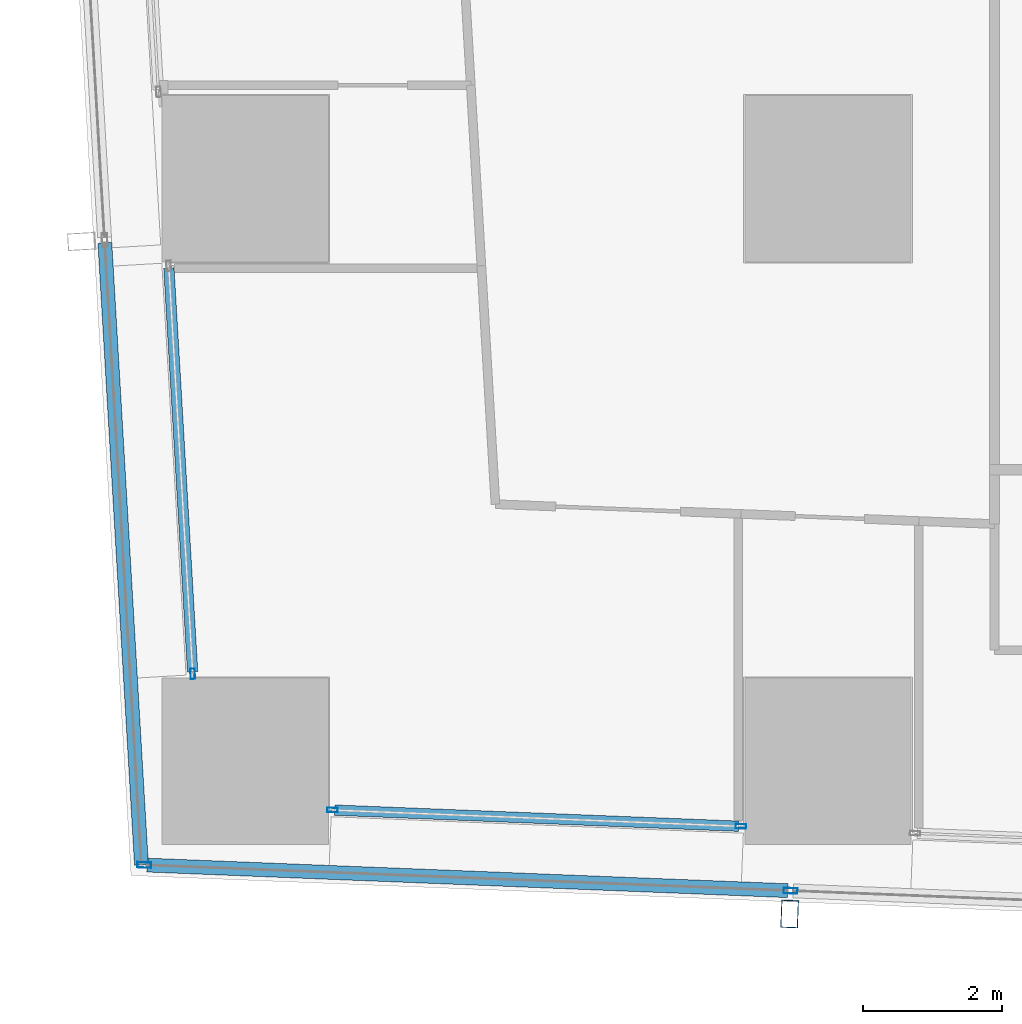
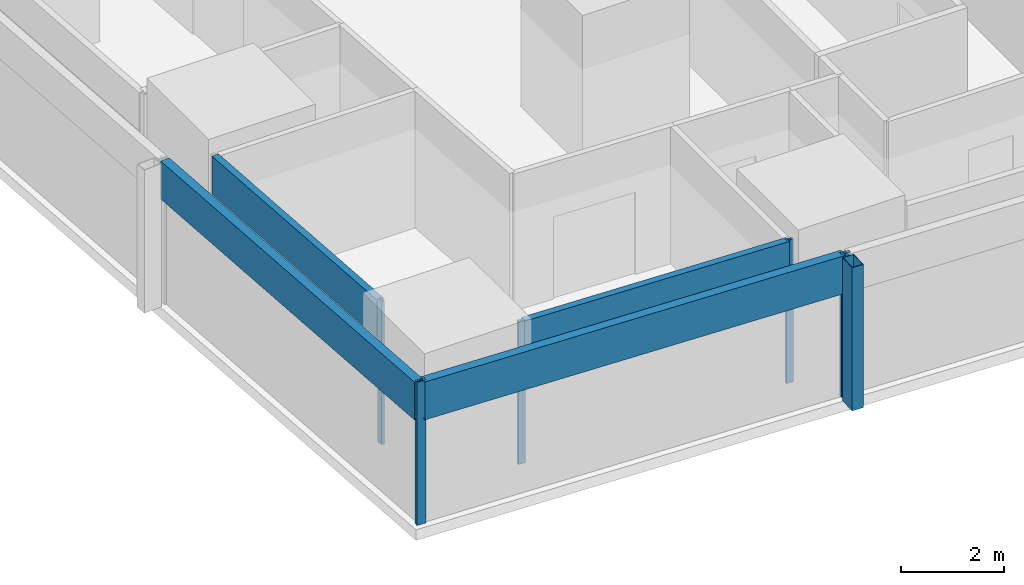
# One storey, part 2 of 34: 10 members, 4 elements without a shape of their own.
"""IFC4 building model written with IfcOpenShell, lengths in metres."""

import ifcopenshell
import ifcopenshell.guid

model = None  # the IFC model being written
_history = None  # IfcOwnerHistory: only IFC2X3 demands one
_inside = {}  # id of a spatial element -> (the spatial element, [elements in it])
_under = {}  # id of a project, library or spatial element -> (it, [spatial elements below it])
_declared = {}  # id of a project -> (the project, [libraries it declares])
_typed = {}  # id of a type object -> (the type object, [elements of that type])
_made_of = {}  # id of a material, layer set ... -> (it, [elements and type objects made of it])


def new_model(schema):
    """Start an empty IFC model of exactly this schema.

    Asked for "IFC4X3", IfcOpenShell would pick the latest addendum, in which some entities
    have other attributes; the version numbers below select the first issue.
    IFC2X3 requires an IfcOwnerHistory on every rooted entity: one is made here for all.
    """
    global model, _history
    if schema == "IFC4X3":
        model = ifcopenshell.file(schema_version=(4, 3, 0, 0))
    else:
        model = ifcopenshell.file(schema=schema)
    _inside.clear()
    _under.clear()
    _declared.clear()
    _typed.clear()
    _made_of.clear()
    _history = None
    if model.schema == "IFC2X3":
        org = make("IfcOrganization", Name="unknown")
        user = make(
            "IfcPersonAndOrganization",
            ThePerson=make("IfcPerson", FamilyName="unknown"),
            TheOrganization=org,
        )
        app = make(
            "IfcApplication",
            ApplicationDeveloper=org,
            Version="unknown",
            ApplicationFullName="unknown",
            ApplicationIdentifier="unknown",
        )
        _history = make(
            "IfcOwnerHistory",
            OwningUser=user,
            OwningApplication=app,
            ChangeAction="ADDED",
            CreationDate=0,
        )
    return model


def make(cls, **values):
    """One entity of the class cls with the attributes given. An attribute that is None is left unset."""
    return model.create_entity(
        cls, **{name: value for name, value in values.items() if value is not None}
    )


def rooted(cls, **values):
    """An entity with a GlobalId (a new one), such as an element, a storey or a relation."""
    return make(cls, GlobalId=ifcopenshell.guid.new(), OwnerHistory=_history, **values)


def si_unit(unit_type, name, prefix=None):
    """IfcSIUnit, for example si_unit("LENGTHUNIT", "METRE", prefix="MILLI")."""
    return make("IfcSIUnit", UnitType=unit_type, Prefix=prefix, Name=name)


def assignment(units):
    """IfcUnitAssignment: the units of a project."""
    return None if units is None else make("IfcUnitAssignment", Units=units)


def point(xyz):
    """IfcCartesianPoint."""
    return None if xyz is None else make("IfcCartesianPoint", Coordinates=xyz)


def direction(xyz):
    """IfcDirection."""
    return None if xyz is None else make("IfcDirection", DirectionRatios=xyz)


def frame(location, z_axis=None, x_axis=None):
    """IfcAxis2Placement3D, a coordinate frame: its origin and axes. An axis left out is left unset."""
    return make(
        "IfcAxis2Placement3D",
        Location=point(location),
        Axis=direction(z_axis),
        RefDirection=direction(x_axis),
    )


def frame_2d(location, x_axis=None):
    """IfcAxis2Placement2D, a coordinate frame in the plane: its origin and x axis."""
    return make(
        "IfcAxis2Placement2D", Location=point(location), RefDirection=direction(x_axis)
    )


def origin():
    """The frame at (0, 0, 0) with its axes left unset."""
    return frame((0.0, 0.0, 0.0))


def origin_2d():
    """The frame at (0, 0) in the plane with its x axis left unset."""
    return frame_2d((0.0, 0.0))


def place(relative_to, where):
    """IfcLocalPlacement: puts the frame where relative to a parent placement (None: the world)."""
    return make(
        "IfcLocalPlacement", PlacementRelTo=relative_to, RelativePlacement=where
    )


def context(
    kind, dimensions, precision=None, world=None, true_north=None, identifier=None
):
    """IfcGeometricRepresentationContext, for example the 3D "Model" context."""
    return make(
        "IfcGeometricRepresentationContext",
        ContextIdentifier=identifier,
        ContextType=kind,
        CoordinateSpaceDimension=dimensions,
        Precision=precision,
        WorldCoordinateSystem=world,
        TrueNorth=true_north,
    )


def subcontext(parent, identifier, kind, view, scale=None):
    """IfcGeometricRepresentationSubContext, for example "Body" below "Model"."""
    return make(
        "IfcGeometricRepresentationSubContext",
        ContextIdentifier=identifier,
        ContextType=kind,
        ParentContext=parent,
        TargetScale=scale,
        TargetView=view,
    )


def project(units=None, contexts=None):
    """IfcProject with its units and contexts."""
    return rooted(
        "IfcProject",
        Name="project",
        RepresentationContexts=contexts,
        UnitsInContext=assignment(units),
    )


def spatial(cls, under=None, at=None, **own):
    """A site, building, storey or space (cls), placed at a placement, below another one or the project."""
    s = rooted(cls, ObjectPlacement=at, **own)
    if under is not None:
        _under.setdefault(under.id(), (under, []))[1].append(s)
    return s


def profile(cls, at=None, kind="AREA", **sizes):
    """A parametric profile (cls). Its sizes go by their IFC names, for example OverallWidth=200.0."""
    return make(cls, ProfileType=kind, Position=at, **sizes)


def hollow_rectangle(**sizes):
    """IfcRectangleHollowProfileDef."""
    return profile("IfcRectangleHollowProfileDef", **sizes)


def extrude(swept, where, along, depth):
    """IfcExtrudedAreaSolid: the profile swept, set in the frame where, extruded along a direction by depth."""
    return make(
        "IfcExtrudedAreaSolid",
        SweptArea=swept,
        Position=where,
        ExtrudedDirection=direction(along),
        Depth=depth,
    )


def shape(context_of_items, identifier, shape_type, items):
    """IfcShapeRepresentation: the items that make up one representation, for example the "Body"."""
    return make(
        "IfcShapeRepresentation",
        ContextOfItems=context_of_items,
        RepresentationIdentifier=identifier,
        RepresentationType=shape_type,
        Items=items,
    )


def material(Name=None, Category=None):
    """IfcMaterial."""
    return make("IfcMaterial", Name=Name, Category=Category)


def material_profile(
    of_material, cross_section, Name=None, Category=None, Priority=None
):
    """IfcMaterialProfile: a cross section and its material."""
    return make(
        "IfcMaterialProfile",
        Name=Name,
        Material=of_material,
        Profile=cross_section,
        Priority=Priority,
        Category=Category,
    )


def profile_set(profiles, Name=None, composite=None):
    """IfcMaterialProfileSet."""
    return make(
        "IfcMaterialProfileSet",
        Name=Name,
        MaterialProfiles=profiles,
        CompositeProfile=composite,
    )


def made_of(thing, what):
    """Note that an element or type object is made of a material, layer set ...; save() writes the relation."""
    if what is not None:
        _made_of.setdefault(what.id(), (what, []))[1].append(thing)
    return thing


def type_object(cls, material=None, **own):
    """A type object (cls), such as IfcWallType, which elements share."""
    return made_of(rooted(cls, **own), material)


def element(
    cls,
    number,
    at=None,
    inside=None,
    cuts=None,
    type_object=None,
    material=None,
    context=None,
    identifier="Body",
    shape_type=None,
    held_by="IfcProductDefinitionShape",
    body=None,
    shapes=None,
    **own,
):
    """One element of the class cls, such as IfcWall. Its Tag is "e" and its number.

    at: its placement. inside: the storey or other place that contains it. cuts: it is an
    opening in that element (IfcRelVoidsElement). A single representation is given by context,
    identifier, shape_type and body (its items); several are given by shapes. held_by: the class
    of the entity that holds the representations. save() writes the other relations.
    """
    e = rooted(cls, Tag="e%d" % number, ObjectPlacement=at, **own)
    if body is not None:
        shapes = [shape(context, identifier, shape_type, body)]
    if shapes is not None:
        e.Representation = make(held_by, Representations=shapes)
    if inside is not None:
        _inside.setdefault(inside.id(), (inside, []))[1].append(e)
    if cuts is not None:
        rooted(
            "IfcRelVoidsElement", RelatingBuildingElement=cuts, RelatedOpeningElement=e
        )
    if type_object is not None:
        _typed.setdefault(type_object.id(), (type_object, []))[1].append(e)
    return made_of(e, material)


def aggregate(whole, parts):
    """IfcRelAggregates: a whole, such as a stair, and the parts it consists of."""
    return rooted("IfcRelAggregates", RelatingObject=whole, RelatedObjects=parts)


def save(model, path):
    """Write the relations noted so far, then the file.

    IfcRelAggregates (storeys below a building ...), IfcRelContainedInSpatialStructure (elements
    in a storey), IfcRelDefinesByType, IfcRelAssociatesMaterial and IfcRelDeclares: one each for
    every whole, place, type object, material and project.
    """
    for whole, parts in _under.values():
        aggregate(whole, parts)
    for where, things in _inside.values():
        rooted(
            "IfcRelContainedInSpatialStructure",
            RelatedElements=things,
            RelatingStructure=where,
        )
    for kind, things in _typed.values():
        rooted("IfcRelDefinesByType", RelatedObjects=things, RelatingType=kind)
    for what, things in _made_of.values():
        rooted("IfcRelAssociatesMaterial", RelatedObjects=things, RelatingMaterial=what)
    for by, libraries in _declared.values():
        rooted("IfcRelDeclares", RelatingContext=by, RelatedDefinitions=libraries)
    model.write(path)


model = new_model("IFC4")

# Units and contexts
model_context = context("Model", 3, precision=1e-05, world=origin(), true_north=direction((0.0, 1.0)))
body_context = subcontext(model_context, "Body", "Model", "MODEL_VIEW")
ifc_project = project(units=[si_unit("LENGTHUNIT", "METRE"), si_unit("AREAUNIT", "SQUARE_METRE"), si_unit("VOLUMEUNIT", "CUBIC_METRE"), si_unit("PLANEANGLEUNIT", "RADIAN"), si_unit("MASSUNIT", "GRAM", prefix="KILO")], contexts=[model_context])

# Site, building, storey
site_placement = place(None, origin())
site = spatial("IfcSite", under=ifc_project, at=site_placement, CompositionType="ELEMENT")
building_placement = place(site_placement, origin())
building = spatial("IfcBuilding", under=site, at=building_placement, Name="Rekha Terrace Tower", CompositionType="ELEMENT")
storey_placement = place(building_placement, frame((0.0, 0.0, 236.449951171875)))
storey = spatial("IfcBuildingStorey", under=building, at=storey_placement, Name="L60", CompositionType="ELEMENT", Elevation=236.449951171875)

# Curtain wall, member
ifc_material_1 = material(Name="Aluminium framing", Category="aluminium")
curtain_wall_type_1 = type_object("IfcCurtainWallType", Name="CW2 double skin outer glazing", PredefinedType="USERDEFINED", material=ifc_material_1)
curtain_wall_1_placement = place(storey_placement, origin())
curtain_wall_1 = element("IfcCurtainWall", 1, at=curtain_wall_1_placement, inside=storey, type_object=curtain_wall_type_1, Name="CW2 double skin outer glazing", ObjectType="DOUBLE SKIN OUTER GLAZING", PredefinedType="USERDEFINED")
ifc_material_2 = material(Name="Steel S355 with fluorocarbon finish", Category="steel")
ifc_material_profile_1 = material_profile(ifc_material_2, hollow_rectangle(XDim=0.25, YDim=0.39990234375, WallThickness=0.012451171875, at=origin_2d()), Name="RHS400x250x12.5")
ifc_profile_set_1 = profile_set([ifc_material_profile_1], Name="Steel S355 with fluorocarbon finish")
member_type_1 = type_object("IfcMemberType", Name="BL1 facade blade RHS 400 x 250", PredefinedType="USERDEFINED", material=ifc_profile_set_1)
member_1_placement = place(storey_placement, frame((16.24658203125, 14.595947265625, 0.0), z_axis=(0.0, 0.0, 1.0), x_axis=(0.999204797763, -0.039871946621, 0.0)))
member_1 = element("IfcMember", 2, at=member_1_placement, type_object=member_type_1, Name="Facade blade", ObjectType="FACADE BLADE", PredefinedType="USERDEFINED", context=body_context, shape_type="SweptSolid", body=[
    extrude(hollow_rectangle(XDim=0.25, YDim=0.39990234375, WallThickness=0.012451171875, at=origin_2d()), origin(), (0.0, 0.0, 1.0), 3.400146484375),
])

# Curtain wall, members
curtain_wall_type_2 = type_object("IfcCurtainWallType", Name="CW1 double skin inner glazing", PredefinedType="USERDEFINED", material=ifc_material_1)
curtain_wall_2_placement = place(storey_placement, origin())
curtain_wall_2 = element("IfcCurtainWall", 3, at=curtain_wall_2_placement, inside=storey, type_object=curtain_wall_type_2, Name="CW1 double skin inner glazing", ObjectType="DOUBLE SKIN INNER GLAZING", PredefinedType="USERDEFINED")
ifc_material_3 = material(Name="Aluminium mullion section", Category="aluminium")
ifc_material_profile_2 = material_profile(ifc_material_3, hollow_rectangle(XDim=0.06494140625, YDim=0.14990234375, WallThickness=0.00390625, at=origin_2d()), Name="AL RHS 65x150")
ifc_profile_set_2 = profile_set([ifc_material_profile_2], Name="Aluminium mullion section")
member_type_2 = type_object("IfcMemberType", Name="CW1 mullion RHS 65 x 150", PredefinedType="MULLION", material=ifc_profile_set_2)
member_2_placement = place(storey_placement, frame((9.65625, 16.094970703125, 0.0), z_axis=(0.0, 0.0, 1.0), x_axis=(0.039872497078, 0.999204775798, 0.0)))
member_2 = element("IfcMember", 4, at=member_2_placement, type_object=member_type_2, Name="CW1 mullion 1", PredefinedType="MULLION", context=body_context, shape_type="SweptSolid", body=[
    extrude(hollow_rectangle(XDim=0.06494140625, YDim=0.14990234375, WallThickness=0.00390625, at=origin_2d()), origin(), (0.0, 0.0, 1.0), 3.400146484375),
])
member_3_placement = place(storey_placement, frame((15.543701171875, 15.85986328125, 0.0), z_axis=(0.0, 0.0, 1.0), x_axis=(0.039872497078, 0.999204775798, 0.0)))
member_3 = element("IfcMember", 5, at=member_3_placement, type_object=member_type_2, Name="CW1 mullion 2", PredefinedType="MULLION", context=body_context, shape_type="SweptSolid", body=[
    extrude(hollow_rectangle(XDim=0.06494140625, YDim=0.14990234375, WallThickness=0.00390625, at=origin_2d()), origin(), (0.0, 0.0, 1.0), 3.400146484375),
])

# Curtain wall, member
curtain_wall_3_placement = place(storey_placement, origin())
curtain_wall_3 = element("IfcCurtainWall", 6, at=curtain_wall_3_placement, inside=storey, type_object=curtain_wall_type_2, Name="CW1 double skin inner glazing", ObjectType="DOUBLE SKIN INNER GLAZING", PredefinedType="USERDEFINED")
member_4_placement = place(storey_placement, frame((7.640625, 18.05810546875, 0.0), z_axis=(0.0, 0.0, 1.0), x_axis=(0.99827183927, 0.058765082499, 0.0)))
member_4 = element("IfcMember", 7, at=member_4_placement, type_object=member_type_2, Name="CW1 mullion 2", PredefinedType="MULLION", context=body_context, shape_type="SweptSolid", body=[
    extrude(hollow_rectangle(XDim=0.06494140625, YDim=0.14990234375, WallThickness=0.00390625, at=origin_2d()), origin(), (0.0, 0.0, 1.0), 3.400146484375),
])

# Member
ifc_material_4 = material(Name="Insulated aluminium spandrel box", Category="aluminium")
ifc_material_profile_3 = material_profile(ifc_material_4, hollow_rectangle(XDim=0.14990234375, YDim=0.89990234375, WallThickness=0.0029296875, at=origin_2d()), Name="AL SPANDREL BOX 150x900")
ifc_profile_set_3 = profile_set([ifc_material_profile_3], Name="Insulated aluminium spandrel box")
member_type_3 = type_object("IfcMemberType", Name="CW1 spandrel transom 150 x 900", PredefinedType="USERDEFINED", material=ifc_profile_set_3)
member_5_placement = place(storey_placement, frame((9.688720703125, 16.093505859375, 2.949951171875), z_axis=(0.999205903752, -0.03984422049, 0.0), x_axis=(0.03984422049, 0.999205903752, 0.0)))
member_5 = element("IfcMember", 8, at=member_5_placement, type_object=member_type_3, Name="CW1 spandrel transom 1", ObjectType="TRANSOM", PredefinedType="USERDEFINED", context=body_context, shape_type="SweptSolid", body=[
    extrude(hollow_rectangle(XDim=0.14990234375, YDim=0.89990234375, WallThickness=0.0029296875, at=origin_2d()), origin(), (0.0, 0.0, 1.0), 5.8271484375),
])

aggregate(curtain_wall_2, [member_2, member_3, member_5])

member_6_placement = place(storey_placement, frame((7.296142578125, 23.90966796875, 2.949951171875), z_axis=(0.058758848186, -0.998272206244, 0.0), x_axis=(0.998272206244, 0.058758848186, 0.0)))
member_6 = element("IfcMember", 9, at=member_6_placement, type_object=member_type_3, Name="CW1 spandrel transom 1", ObjectType="TRANSOM", PredefinedType="USERDEFINED", context=body_context, shape_type="SweptSolid", body=[
    extrude(hollow_rectangle(XDim=0.14990234375, YDim=0.89990234375, WallThickness=0.0029296875, at=origin_2d()), origin(), (0.0, 0.0, 1.0), 5.829345703125),
])

aggregate(curtain_wall_3, [member_4, member_6])

ifc_material_profile_4 = material_profile(ifc_material_3, hollow_rectangle(XDim=0.080078125, YDim=0.199951171875, WallThickness=0.00390625, at=origin_2d()), Name="AL RHS 80x200")
ifc_profile_set_4 = profile_set([ifc_material_profile_4], Name="Aluminium mullion section")
member_type_4 = type_object("IfcMemberType", Name="CW2 mullion RHS 80 x 200", PredefinedType="MULLION", material=ifc_profile_set_4)
member_7_placement = place(storey_placement, frame((6.941162109375, 15.302490234375, 0.0), z_axis=(0.0, 0.0, 1.0), x_axis=(0.039872497044, 0.999204775799, 0.0)))
member_7 = element("IfcMember", 10, at=member_7_placement, type_object=member_type_4, Name="CW2 mullion 1", PredefinedType="MULLION", context=body_context, shape_type="SweptSolid", body=[
    extrude(hollow_rectangle(XDim=0.080078125, YDim=0.199951171875, WallThickness=0.00390625, at=origin_2d()), origin(), (0.0, 0.0, 1.0), 3.400146484375),
])

member_8_placement = place(storey_placement, frame((16.259765625, 14.9306640625, 0.0), z_axis=(0.0, 0.0, 1.0), x_axis=(0.039872497044, 0.999204775799, 0.0)))
member_8 = element("IfcMember", 11, at=member_8_placement, type_object=member_type_4, Name="CW2 mullion 2", PredefinedType="MULLION", context=body_context, shape_type="SweptSolid", body=[
    extrude(hollow_rectangle(XDim=0.080078125, YDim=0.199951171875, WallThickness=0.00390625, at=origin_2d()), origin(), (0.0, 0.0, 1.0), 3.400146484375),
])

ifc_material_profile_5 = material_profile(ifc_material_4, hollow_rectangle(XDim=0.199951171875, YDim=0.89990234375, WallThickness=0.0029296875, at=origin_2d()), Name="AL SPANDREL BOX 200x900")
ifc_profile_set_5 = profile_set([ifc_material_profile_5], Name="Insulated aluminium spandrel box")
member_type_5 = type_object("IfcMemberType", Name="CW2 spandrel transom 200 x 900", PredefinedType="USERDEFINED", material=ifc_profile_set_5)
member_9_placement = place(storey_placement, frame((6.981201171875, 15.301025390625, 2.949951171875), z_axis=(0.999203782278, -0.039897386899, 0.0), x_axis=(0.039897386899, 0.999203782278, 0.0)))
member_9 = element("IfcMember", 12, at=member_9_placement, type_object=member_type_5, Name="CW2 spandrel transom 1", ObjectType="TRANSOM", PredefinedType="USERDEFINED", context=body_context, shape_type="SweptSolid", body=[
    extrude(hollow_rectangle(XDim=0.199951171875, YDim=0.89990234375, WallThickness=0.0029296875, at=origin_2d()), origin(), (0.0, 0.0, 1.0), 9.24609375),
])

aggregate(curtain_wall_1, [member_7, member_8, member_9, member_1])

# Curtain wall, member
curtain_wall_4_placement = place(storey_placement, origin())
curtain_wall_4 = element("IfcCurtainWall", 13, at=curtain_wall_4_placement, inside=storey, type_object=curtain_wall_type_1, Name="CW2 double skin outer glazing", ObjectType="DOUBLE SKIN OUTER GLAZING", PredefinedType="USERDEFINED")
member_10_placement = place(storey_placement, frame((6.373291015625, 24.27197265625, 2.949951171875), z_axis=(0.058757071111, -0.998272310842, 0.0), x_axis=(0.998272310842, 0.058757071111, 0.0)))
member_10 = element("IfcMember", 14, at=member_10_placement, type_object=member_type_5, Name="CW2 spandrel transom 3", ObjectType="TRANSOM", PredefinedType="USERDEFINED", context=body_context, shape_type="SweptSolid", body=[
    extrude(hollow_rectangle(XDim=0.199951171875, YDim=0.89990234375, WallThickness=0.0029296875, at=origin_2d()), origin(), (0.0, 0.0, 1.0), 8.9833984375),
])
aggregate(curtain_wall_4, [member_10])

save(model, "model.ifc")
